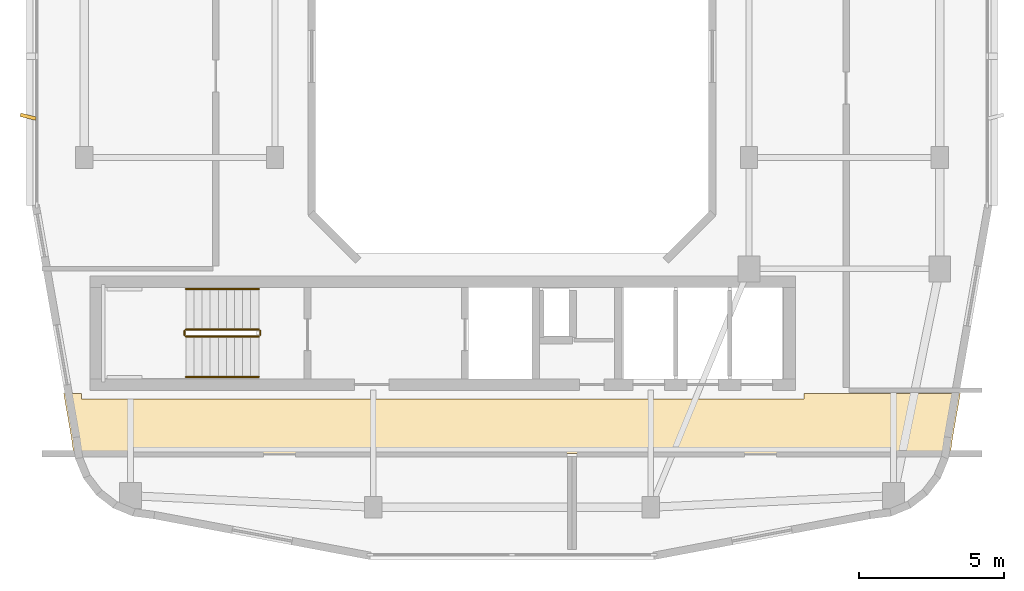
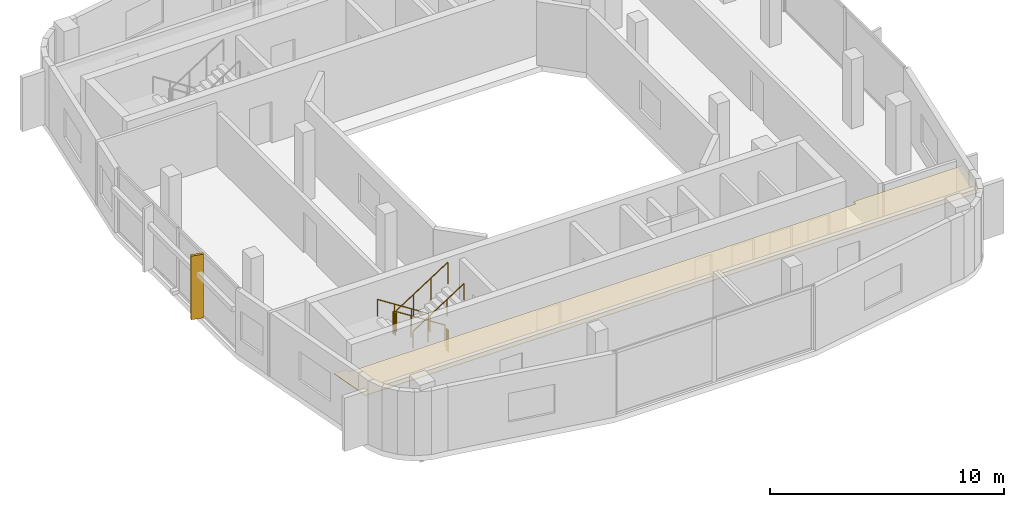
# One storey, part 6 of 8: 6 railings, 1 covering, 1 shading device.
"""IFC4 building model written with IfcOpenShell, lengths in metres."""

from ifc_helpers import new_model, si_unit, derived_unit, direction, frame, origin, origin_2d, place, context, subcontext, project, spatial, polyline, rectangle, circle, outline, extrude, material, layer, layer_set, type_object, element, save


model = new_model("IFC4")

# Units and contexts
model_context = context("Model", 3, precision=1e-05, world=origin(), true_north=direction((0.0, 1.0)))
body_context = subcontext(model_context, "Body", "Model", "MODEL_VIEW")
ifc_project = project(units=[si_unit("LENGTHUNIT", "METRE"), si_unit("AREAUNIT", "SQUARE_METRE"), si_unit("VOLUMEUNIT", "CUBIC_METRE"), si_unit("PLANEANGLEUNIT", "RADIAN"), si_unit("MASSUNIT", "GRAM", prefix="KILO"), derived_unit("THERMALTRANSMITTANCEUNIT", [(si_unit("POWERUNIT", "WATT"), 1), (si_unit("LENGTHUNIT", "METRE"), -2), (si_unit("THERMODYNAMICTEMPERATUREUNIT", "KELVIN"), -1)])], contexts=[model_context])

# Site, building, storey
site_placement = place(None, origin())
site = spatial("IfcSite", under=ifc_project, at=site_placement, CompositionType="ELEMENT")
building_placement = place(site_placement, origin())
building = spatial("IfcBuilding", under=site, at=building_placement, Name="Kivonza Crest Hotel", CompositionType="ELEMENT")
storey_placement = place(building_placement, frame((0.0, 0.0, 268.39990234375)))
storey = spatial("IfcBuildingStorey", under=building, at=storey_placement, Name="L73", CompositionType="ELEMENT", Elevation=268.39990234375)

# Covering
ifc_material_1 = material(Name="Moisture-resistant gypsum plasterboard ceiling", Category="gypsum")
ifc_layer = layer(ifc_material_1, 0.030029296875)
ifc_layer_set = layer_set([ifc_layer], Name="Moisture-resistant gypsum plasterboard ceiling")
covering_type = type_object("IfcCoveringType", Name="CV-CEIL-GYP", PredefinedType="CEILING", material=ifc_layer_set)
covering_placement = place(storey_placement, frame((0.0, 0.0, 2.4501953125)))
element("IfcCovering", 1, at=covering_placement, inside=storey, type_object=covering_type, Name="L73 L73 Crown South and East Promenade suspended ceiling", PredefinedType="CEILING", context=body_context, shape_type="SweptSolid", body=[
    extrude(outline(polyline([(36.239990234375, 11.7939453125), (36.510986328125, 13.340087890625), (31.10009765625, 13.340087890625), (31.10009765625, 13.139892578125), (6.10009765625, 13.139892578125), (6.10009765625, 13.340087890625), (5.489013671875, 13.340087890625), (5.760009765625, 11.7939453125), (5.8310546875, 11.260009765625), (36.1689453125, 11.260009765625), (36.239990234375, 11.7939453125)])), origin(), (0.0, 0.0, 1.0), 0.02978515625),
])

# Railings
ifc_material_2 = material(Name="Brushed stainless steel handrail", Category="steel")
railing_type_1 = type_object("IfcRailingType", Name="RL-HAND-900", PredefinedType="HANDRAIL", material=ifc_material_2)
railing_1_placement = place(storey_placement, frame((12.239990234375, 16.949951171875, 0.18017578125)))
element("IfcRailing", 2, at=railing_1_placement, inside=storey, type_object=railing_type_1, Name="L73 ST-T1-S stair handrail 1", PredefinedType="HANDRAIL", context=body_context, shape_type="SweptSolid", body=[
    extrude(circle(Radius=0.02392578125, at=origin_2d()), frame((0.0, 0.0, 0.8759765625), z_axis=(-0.841199657755, 0.0, 0.540724639528), x_axis=(0.0, -1.0, 0.0)), (0.0, 0.0, 1.0), 2.995849609375),
    extrude(circle(Radius=0.02099609375, at=origin_2d()), origin(), (0.0, 0.0, 1.0), 0.851806640625),
    extrude(circle(Radius=0.02099609375, at=origin_2d()), frame((-0.840087890625, 0.0, 0.5400390625)), (0.0, 0.0, 1.0), 0.851806640625),
    extrude(circle(Radius=0.02099609375, at=origin_2d()), frame((-1.679931640625, 0.0, 1.079833984375)), (0.0, 0.0, 1.0), 0.851806640625),
    extrude(circle(Radius=0.02099609375, at=origin_2d()), frame((-2.52001953125, 0.0, 1.619873046875)), (0.0, 0.0, 1.0), 0.851806640625),
])
railing_2_placement = place(storey_placement, frame((9.719970703125, 13.909912109375, 1.97998046875)))
element("IfcRailing", 3, at=railing_2_placement, inside=storey, type_object=railing_type_1, Name="L73 ST-T1-S stair handrail 2", PredefinedType="HANDRAIL", context=body_context, shape_type="SweptSolid", body=[
    extrude(circle(Radius=0.02392578125, at=origin_2d()), frame((0.0, 0.0, 0.8759765625), z_axis=(0.841162588446, 0.0, 0.540782303519), x_axis=(0.0, 1.0, 0.0)), (0.0, 0.0, 1.0), 2.995849609375),
    extrude(circle(Radius=0.02099609375, at=origin_2d()), origin(), (0.0, 0.0, 1.0), 0.851806640625),
    extrude(circle(Radius=0.02099609375, at=origin_2d()), frame((0.840087890625, 0.0, 0.5400390625)), (0.0, 0.0, 1.0), 0.851806640625),
    extrude(circle(Radius=0.02099609375, at=origin_2d()), frame((1.679931640625, 0.0, 1.080078125)), (0.0, 0.0, 1.0), 0.851806640625),
    extrude(circle(Radius=0.02099609375, at=origin_2d()), frame((2.52001953125, 0.0, 1.6201171875)), (0.0, 0.0, 1.0), 0.851806640625),
])
ifc_material_3 = material(Name="Painted steel balustrade", Category="steel")
railing_type_2 = type_object("IfcRailingType", Name="RL-STAIR-1150", PredefinedType="BALUSTRADE", material=ifc_material_3)
railing_3_placement = place(storey_placement, frame((12.239990234375, 15.550048828125, 0.18017578125)))
element("IfcRailing", 4, at=railing_3_placement, inside=storey, type_object=railing_type_2, Name="L73 ST-T1-S stair guard 1", PredefinedType="BALUSTRADE", context=body_context, shape_type="SweptSolid", body=[
    extrude(circle(Radius=0.02392578125, at=origin_2d()), frame((0.0, 0.0, 1.1259765625), z_axis=(-0.841199657755, 0.0, 0.540724639528), x_axis=(0.0, -1.0, 0.0)), (0.0, 0.0, 1.0), 2.995849609375),
    extrude(circle(Radius=0.02099609375, at=origin_2d()), origin(), (0.0, 0.0, 1.0), 1.101806640625),
    extrude(circle(Radius=0.02099609375, at=origin_2d()), frame((-0.840087890625, 0.0, 0.5400390625)), (0.0, 0.0, 1.0), 1.101806640625),
    extrude(circle(Radius=0.02099609375, at=origin_2d()), frame((-1.679931640625, 0.0, 1.079833984375)), (0.0, 0.0, 1.0), 1.101806640625),
    extrude(circle(Radius=0.02099609375, at=origin_2d()), frame((-2.52001953125, 0.0, 1.619873046875)), (0.0, 0.0, 1.0), 1.101806640625),
])
railing_4_placement = place(storey_placement, frame((9.669921875, 15.5, 1.800048828125)))
element("IfcRailing", 5, at=railing_4_placement, inside=storey, type_object=railing_type_2, Name="L73 ST-T1-S stair guard 2", PredefinedType="BALUSTRADE", context=body_context, shape_type="SweptSolid", body=[
    extrude(circle(Radius=0.02392578125, at=origin_2d()), frame((0.0, 0.0, 1.1259765625), z_axis=(0.0, -1.0, 0.0), x_axis=(1.0, 0.0, 0.0)), (0.0, 0.0, 1.0), 0.139892578125),
    extrude(circle(Radius=0.02099609375, at=origin_2d()), origin(), (0.0, 0.0, 1.0), 1.101806640625),
    extrude(circle(Radius=0.02099609375, at=origin_2d()), frame((0.0, -0.139892578125, 0.0)), (0.0, 0.0, 1.0), 1.101806640625),
])
railing_5_placement = place(storey_placement, frame((9.719970703125, 15.31005859375, 1.97998046875)))
element("IfcRailing", 6, at=railing_5_placement, inside=storey, type_object=railing_type_2, Name="L73 ST-T1-S stair guard 3", PredefinedType="BALUSTRADE", context=body_context, shape_type="SweptSolid", body=[
    extrude(circle(Radius=0.02392578125, at=origin_2d()), frame((0.0, 0.0, 1.1259765625), z_axis=(0.841162588446, 0.0, 0.540782303519), x_axis=(0.0, 1.0, 0.0)), (0.0, 0.0, 1.0), 2.995849609375),
    extrude(circle(Radius=0.02099609375, at=origin_2d()), origin(), (0.0, 0.0, 1.0), 1.101806640625),
    extrude(circle(Radius=0.02099609375, at=origin_2d()), frame((0.840087890625, 0.0, 0.5400390625)), (0.0, 0.0, 1.0), 1.101806640625),
    extrude(circle(Radius=0.02099609375, at=origin_2d()), frame((1.679931640625, 0.0, 1.080078125)), (0.0, 0.0, 1.0), 1.101806640625),
    extrude(circle(Radius=0.02099609375, at=origin_2d()), frame((2.52001953125, 0.0, 1.6201171875)), (0.0, 0.0, 1.0), 1.101806640625),
])
railing_6_placement = place(storey_placement, frame((12.2900390625, 15.5, 0.0)))
element("IfcRailing", 7, at=railing_6_placement, inside=storey, type_object=railing_type_2, Name="L73 ST-T1-S stair guard 4", PredefinedType="BALUSTRADE", context=body_context, shape_type="SweptSolid", body=[
    extrude(circle(Radius=0.02392578125, at=origin_2d()), frame((0.0, 0.0, 1.1259765625), z_axis=(0.0, -1.0, 0.0), x_axis=(1.0, 0.0, 0.0)), (0.0, 0.0, 1.0), 0.139892578125),
    extrude(circle(Radius=0.02099609375, at=origin_2d()), origin(), (0.0, 0.0, 1.0), 1.101806640625),
    extrude(circle(Radius=0.02099609375, at=origin_2d()), frame((0.0, -0.139892578125, 0.0)), (0.0, 0.0, 1.0), 1.101806640625),
])

# Shading device
ifc_material_4 = material(Name="Kiln-fired terracotta over extruded aluminium spine", Category="masonry")
shading_device_type = type_object("IfcShadingDeviceType", Name="SH-FIN-550", PredefinedType="USERDEFINED", material=ifc_material_4)
shading_device_placement = place(storey_placement, frame((4.260009765625, 22.912109375, 0.0), z_axis=(0.0, 0.0, 1.0), x_axis=(-0.2419218956, -0.970295726276, 0.0)))
element("IfcShadingDevice", 8, at=shading_device_placement, inside=storey, type_object=shading_device_type, Name="L73 vertical solar shading fin CW-T1-L73-35-2", ObjectType="FIN", PredefinedType="USERDEFINED", context=body_context, shape_type="SweptSolid", body=[
    extrude(rectangle(XDim=0.1201171875, YDim=0.550048828125, at=origin_2d()), origin(), (0.0, 0.0, 1.0), 3.320068359375),
])

save(model, "model.ifc")
